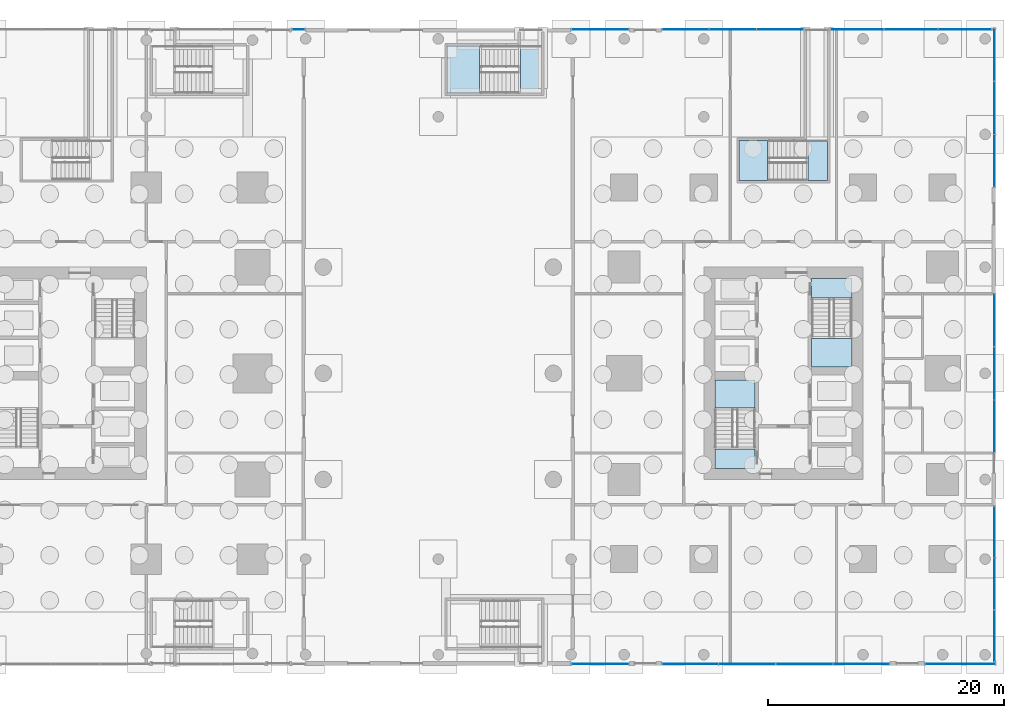
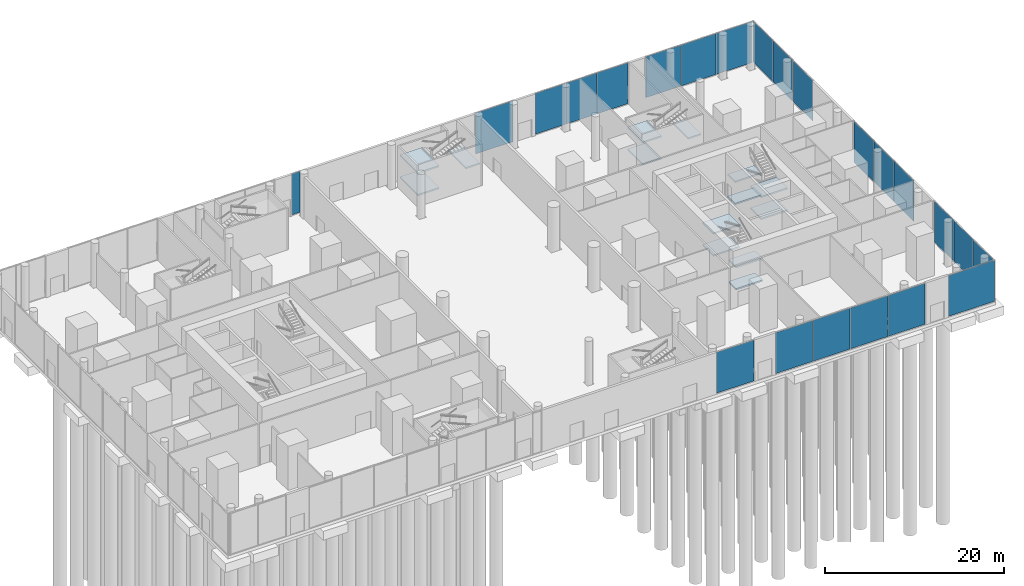
# One storey, part 17 of 31: 23 plates, 14 slabs, 14 elements without a shape of their own.
"""IFC4 building model written with IfcOpenShell, lengths in metres."""

from ifc_helpers import new_model, si_unit, direction, frame, origin, origin_2d, place, context, subcontext, project, spatial, polyline, rectangle, outline, extrude, material, layer, layer_set, type_object, element, aggregate, save


model = new_model("IFC4")

# Units and contexts
model_context = context("Model", 3, precision=1e-05, world=origin(), true_north=direction((0.0, 1.0)))
body_context = subcontext(model_context, "Body", "Model", "MODEL_VIEW")
ifc_project = project(units=[si_unit("LENGTHUNIT", "METRE"), si_unit("AREAUNIT", "SQUARE_METRE"), si_unit("VOLUMEUNIT", "CUBIC_METRE"), si_unit("PLANEANGLEUNIT", "RADIAN"), si_unit("MASSUNIT", "GRAM", prefix="KILO")], contexts=[model_context])

# Site, building, storey
site_placement = place(None, origin())
site = spatial("IfcSite", under=ifc_project, at=site_placement, CompositionType="ELEMENT")
building_placement = place(site_placement, origin())
building = spatial("IfcBuilding", under=site, at=building_placement, Name="Namib Vertical Campus", CompositionType="ELEMENT")
storey_placement = place(building_placement, origin())
storey = spatial("IfcBuildingStorey", under=building, at=storey_placement, Name="L00", CompositionType="ELEMENT", Elevation=0.0)

# Curtain wall, plate
ifc_material_1 = material(Name="Black aluminium curtain wall", Category="aluminium")
ifc_layer_1 = layer(ifc_material_1, 0.199951171875)
ifc_layer_set_1 = layer_set([ifc_layer_1], Name="Entrance curtain wall CW-EN")
curtain_wall_type = type_object("IfcCurtainWallType", Name="Entrance curtain wall CW-EN", PredefinedType="USERDEFINED", material=ifc_layer_set_1)
curtain_wall_1_placement = place(storey_placement, origin())
curtain_wall_1 = element("IfcCurtainWall", 1, at=curtain_wall_1_placement, inside=storey, type_object=curtain_wall_type, Name="Curtain wall CW-EN L00 9-1", ObjectType="CURTAIN WALL", PredefinedType="USERDEFINED")
ifc_material_2 = material(Name="Dark tinted glass", Category="glass")
ifc_layer_2 = layer(ifc_material_2, 0.028076171875)
ifc_layer_set_2 = layer_set([ifc_layer_2], Name="Dark solar glass panel 28")
plate_type = type_object("IfcPlateType", Name="Dark solar glass panel 28", PredefinedType="CURTAIN_PANEL", material=ifc_layer_set_2)
plate_1_placement = place(storey_placement, frame((65.47509765625, -4.39990234375, 0.06005859375), z_axis=(0.0, 0.0, 1.0), x_axis=(1.0, 0.0, 0.0)))
plate_1 = element("IfcPlate", 2, at=plate_1_placement, type_object=plate_type, Name="CW-EN panel 1.1", PredefinedType="CURTAIN_PANEL", context=body_context, shape_type="SweptSolid", body=[
    extrude(rectangle(XDim=4.830078125, YDim=0.028076171875, at=origin_2d()), origin(), (0.0, 0.0, 1.0), 5.580078125),
])
aggregate(curtain_wall_1, [plate_1])

# Curtain wall, plates
curtain_wall_2_placement = place(storey_placement, origin())
curtain_wall_2 = element("IfcCurtainWall", 3, at=curtain_wall_2_placement, inside=storey, type_object=curtain_wall_type, Name="Curtain wall CW-EN L00 11-1", ObjectType="CURTAIN WALL", PredefinedType="USERDEFINED")
plate_2_placement = place(storey_placement, frame((73.090087890625, -4.39990234375, 0.06005859375), z_axis=(0.0, 0.0, 1.0), x_axis=(1.0, 0.0, 0.0)))
plate_2 = element("IfcPlate", 4, at=plate_2_placement, type_object=plate_type, Name="CW-EN panel 1.1", PredefinedType="CURTAIN_PANEL", context=body_context, shape_type="SweptSolid", body=[
    extrude(rectangle(XDim=4.760009765625, YDim=0.028076171875, at=origin_2d()), origin(), (0.0, 0.0, 1.0), 5.580078125),
])
plate_3_placement = place(storey_placement, frame((77.925048828125, -4.39990234375, 0.06005859375), z_axis=(0.0, 0.0, 1.0), x_axis=(1.0, 0.0, 0.0)))
plate_3 = element("IfcPlate", 5, at=plate_3_placement, type_object=plate_type, Name="CW-EN panel 2.1", PredefinedType="CURTAIN_PANEL", context=body_context, shape_type="SweptSolid", body=[
    extrude(rectangle(XDim=4.7900390625, YDim=0.028076171875, at=origin_2d()), origin(), (0.0, 0.0, 1.0), 5.580078125),
])
plate_4_placement = place(storey_placement, frame((82.77490234375, -4.39990234375, 0.06005859375), z_axis=(0.0, 0.0, 1.0), x_axis=(1.0, 0.0, 0.0)))
plate_4 = element("IfcPlate", 6, at=plate_4_placement, type_object=plate_type, Name="CW-EN panel 3.1", PredefinedType="CURTAIN_PANEL", context=body_context, shape_type="SweptSolid", body=[
    extrude(rectangle(XDim=4.7900390625, YDim=0.028076171875, at=origin_2d()), origin(), (0.0, 0.0, 1.0), 5.580078125),
])
plate_5_placement = place(storey_placement, frame((87.610107421875, -4.39990234375, 0.06005859375), z_axis=(0.0, 0.0, 1.0), x_axis=(1.0, 0.0, 0.0)))
plate_5 = element("IfcPlate", 7, at=plate_5_placement, type_object=plate_type, Name="CW-EN panel 4.1", PredefinedType="CURTAIN_PANEL", context=body_context, shape_type="SweptSolid", body=[
    extrude(rectangle(XDim=4.760009765625, YDim=0.028076171875, at=origin_2d()), origin(), (0.0, 0.0, 1.0), 5.580078125),
])
aggregate(curtain_wall_2, [plate_2, plate_3, plate_4, plate_5])

# Curtain wall, plate
curtain_wall_3_placement = place(storey_placement, origin())
curtain_wall_3 = element("IfcCurtainWall", 8, at=curtain_wall_3_placement, inside=storey, type_object=curtain_wall_type, Name="Curtain wall CW-EN L00 13-1", ObjectType="CURTAIN WALL", PredefinedType="USERDEFINED")
plate_6_placement = place(storey_placement, frame((95.97509765625, -4.39990234375, 0.06005859375), z_axis=(0.0, 0.0, 1.0), x_axis=(1.0, 0.0, 0.0)))
plate_6 = element("IfcPlate", 9, at=plate_6_placement, type_object=plate_type, Name="CW-EN panel 1.1", PredefinedType="CURTAIN_PANEL", context=body_context, shape_type="SweptSolid", body=[
    extrude(rectangle(XDim=5.929931640625, YDim=0.028076171875, at=origin_2d()), origin(), (0.0, 0.0, 1.0), 5.580078125),
])
aggregate(curtain_wall_3, [plate_6])

# Curtain wall, plates
curtain_wall_4_placement = place(storey_placement, origin())
curtain_wall_4 = element("IfcCurtainWall", 10, at=curtain_wall_4_placement, inside=storey, type_object=curtain_wall_type, Name="Curtain wall CW-EN L00 1-1", ObjectType="CURTAIN WALL", PredefinedType="USERDEFINED")
plate_7_placement = place(storey_placement, frame((98.89990234375, -1.985107421875, 0.06005859375), z_axis=(0.0, 0.0, 1.0), x_axis=(0.0, 1.0, 0.0)))
plate_7 = element("IfcPlate", 11, at=plate_7_placement, type_object=plate_type, Name="CW-EN panel 1.1", PredefinedType="CURTAIN_PANEL", context=body_context, shape_type="SweptSolid", body=[
    extrude(rectangle(XDim=4.31005859375, YDim=0.028076171875, at=origin_2d()), origin(), (0.0, 0.0, 1.0), 5.580078125),
])
plate_8_placement = place(storey_placement, frame((98.89990234375, 2.39990234375, 0.06005859375), z_axis=(0.0, 0.0, 1.0), x_axis=(0.0, 1.0, 0.0)))
plate_8 = element("IfcPlate", 12, at=plate_8_placement, type_object=plate_type, Name="CW-EN panel 2.1", PredefinedType="CURTAIN_PANEL", context=body_context, shape_type="SweptSolid", body=[
    extrude(rectangle(XDim=4.340087890625, YDim=0.028076171875, at=origin_2d()), origin(), (0.0, 0.0, 1.0), 5.580078125),
])
plate_9_placement = place(storey_placement, frame((98.89990234375, 6.784912109375, 0.06005859375), z_axis=(0.0, 0.0, 1.0), x_axis=(0.0, 1.0, 0.0)))
plate_9 = element("IfcPlate", 13, at=plate_9_placement, type_object=plate_type, Name="CW-EN panel 3.1", PredefinedType="CURTAIN_PANEL", context=body_context, shape_type="SweptSolid", body=[
    extrude(rectangle(XDim=4.31005859375, YDim=0.028076171875, at=origin_2d()), origin(), (0.0, 0.0, 1.0), 5.580078125),
])
aggregate(curtain_wall_4, [plate_7, plate_8, plate_9])

curtain_wall_5_placement = place(storey_placement, origin())
curtain_wall_5 = element("IfcCurtainWall", 14, at=curtain_wall_5_placement, inside=storey, type_object=curtain_wall_type, Name="Curtain wall CW-EN L00 3-1", ObjectType="CURTAIN WALL", PredefinedType="USERDEFINED")
plate_10_placement = place(storey_placement, frame((98.89990234375, 15.764892578125, 0.06005859375), z_axis=(0.0, 0.0, 1.0), x_axis=(0.0, 1.0, 0.0)))
plate_10 = element("IfcPlate", 15, at=plate_10_placement, type_object=plate_type, Name="CW-EN panel 1.1", PredefinedType="CURTAIN_PANEL", context=body_context, shape_type="SweptSolid", body=[
    extrude(rectangle(XDim=4.409912109375, YDim=0.028076171875, at=origin_2d()), origin(), (0.0, 0.0, 1.0), 5.580078125),
])
plate_11_placement = place(storey_placement, frame((98.89990234375, 20.25, 0.06005859375), z_axis=(0.0, 0.0, 1.0), x_axis=(0.0, 1.0, 0.0)))
plate_11 = element("IfcPlate", 16, at=plate_11_placement, type_object=plate_type, Name="CW-EN panel 2.1", PredefinedType="CURTAIN_PANEL", context=body_context, shape_type="SweptSolid", body=[
    extrude(rectangle(XDim=4.43994140625, YDim=0.028076171875, at=origin_2d()), origin(), (0.0, 0.0, 1.0), 5.580078125),
])
plate_12_placement = place(storey_placement, frame((98.89990234375, 24.735107421875, 0.06005859375), z_axis=(0.0, 0.0, 1.0), x_axis=(0.0, 1.0, 0.0)))
plate_12 = element("IfcPlate", 17, at=plate_12_placement, type_object=plate_type, Name="CW-EN panel 3.1", PredefinedType="CURTAIN_PANEL", context=body_context, shape_type="SweptSolid", body=[
    extrude(rectangle(XDim=4.409912109375, YDim=0.028076171875, at=origin_2d()), origin(), (0.0, 0.0, 1.0), 5.580078125),
])
aggregate(curtain_wall_5, [plate_10, plate_11, plate_12])

curtain_wall_6_placement = place(storey_placement, origin())
curtain_wall_6 = element("IfcCurtainWall", 18, at=curtain_wall_6_placement, inside=storey, type_object=curtain_wall_type, Name="Curtain wall CW-EN L00 5-1", ObjectType="CURTAIN WALL", PredefinedType="USERDEFINED")
plate_13_placement = place(storey_placement, frame((98.89990234375, 38.264892578125, 0.06005859375), z_axis=(0.0, 0.0, 1.0), x_axis=(0.0, 1.0, 0.0)))
plate_13 = element("IfcPlate", 19, at=plate_13_placement, type_object=plate_type, Name="CW-EN panel 1.1", PredefinedType="CURTAIN_PANEL", context=body_context, shape_type="SweptSolid", body=[
    extrude(rectangle(XDim=4.409912109375, YDim=0.028076171875, at=origin_2d()), origin(), (0.0, 0.0, 1.0), 5.580078125),
])
plate_14_placement = place(storey_placement, frame((98.89990234375, 42.75, 0.06005859375), z_axis=(0.0, 0.0, 1.0), x_axis=(0.0, 1.0, 0.0)))
plate_14 = element("IfcPlate", 20, at=plate_14_placement, type_object=plate_type, Name="CW-EN panel 2.1", PredefinedType="CURTAIN_PANEL", context=body_context, shape_type="SweptSolid", body=[
    extrude(rectangle(XDim=4.43994140625, YDim=0.028076171875, at=origin_2d()), origin(), (0.0, 0.0, 1.0), 5.580078125),
])
plate_15_placement = place(storey_placement, frame((98.89990234375, 47.235107421875, 0.06005859375), z_axis=(0.0, 0.0, 1.0), x_axis=(0.0, 1.0, 0.0)))
plate_15 = element("IfcPlate", 21, at=plate_15_placement, type_object=plate_type, Name="CW-EN panel 3.1", PredefinedType="CURTAIN_PANEL", context=body_context, shape_type="SweptSolid", body=[
    extrude(rectangle(XDim=4.409912109375, YDim=0.028076171875, at=origin_2d()), origin(), (0.0, 0.0, 1.0), 5.580078125),
])
aggregate(curtain_wall_6, [plate_13, plate_14, plate_15])

# Curtain wall, plate
curtain_wall_7_placement = place(storey_placement, origin())
curtain_wall_7 = element("IfcCurtainWall", 22, at=curtain_wall_7_placement, inside=storey, type_object=curtain_wall_type, Name="Curtain wall CW-EN L00 9-1", ObjectType="CURTAIN WALL", PredefinedType="USERDEFINED")
plate_16_placement = place(storey_placement, frame((39.89990234375, 49.39990234375, 0.06005859375), z_axis=(0.0, 0.0, 1.0), x_axis=(-1.0, 0.0, 0.0)))
plate_16 = element("IfcPlate", 23, at=plate_16_placement, type_object=plate_type, Name="CW-EN panel 1.1", PredefinedType="CURTAIN_PANEL", context=body_context, shape_type="SweptSolid", body=[
    extrude(rectangle(XDim=1.080078125, YDim=0.028076171875, at=origin_2d()), origin(), (0.0, 0.0, 1.0), 5.580078125),
])
aggregate(curtain_wall_7, [plate_16])

curtain_wall_8_placement = place(storey_placement, origin())
curtain_wall_8 = element("IfcCurtainWall", 24, at=curtain_wall_8_placement, inside=storey, type_object=curtain_wall_type, Name="Curtain wall CW-EN L00 11-1", ObjectType="CURTAIN WALL", PredefinedType="USERDEFINED")
plate_17_placement = place(storey_placement, frame((65.47509765625, 49.39990234375, 0.06005859375), z_axis=(0.0, 0.0, 1.0), x_axis=(-1.0, 0.0, 0.0)))
plate_17 = element("IfcPlate", 25, at=plate_17_placement, type_object=plate_type, Name="CW-EN panel 1.1", PredefinedType="CURTAIN_PANEL", context=body_context, shape_type="SweptSolid", body=[
    extrude(rectangle(XDim=4.830078125, YDim=0.028076171875, at=origin_2d()), origin(), (0.0, 0.0, 1.0), 5.580078125),
])
aggregate(curtain_wall_8, [plate_17])

# Curtain wall, plates
curtain_wall_9_placement = place(storey_placement, origin())
curtain_wall_9 = element("IfcCurtainWall", 26, at=curtain_wall_9_placement, inside=storey, type_object=curtain_wall_type, Name="Curtain wall CW-EN L00 13-1", ObjectType="CURTAIN WALL", PredefinedType="USERDEFINED")
plate_18_placement = place(storey_placement, frame((80.71826171875, 49.39990234375, 0.06005859375), z_axis=(0.0, 0.0, 1.0), x_axis=(-1.0, 0.0, 0.0)))
plate_18 = element("IfcPlate", 27, at=plate_18_placement, type_object=plate_type, Name="CW-EN panel 1.1", PredefinedType="CURTAIN_PANEL", context=body_context, shape_type="SweptSolid", body=[
    extrude(rectangle(XDim=3.943359375, YDim=0.028076171875, at=origin_2d()), origin(), (0.0, 0.0, 1.0), 5.580078125),
])
plate_19_placement = place(storey_placement, frame((76.699951171875, 49.39990234375, 0.06005859375), z_axis=(0.0, 0.0, 1.0), x_axis=(-1.0, 0.0, 0.0)))
plate_19 = element("IfcPlate", 28, at=plate_19_placement, type_object=plate_type, Name="CW-EN panel 2.1", PredefinedType="CURTAIN_PANEL", context=body_context, shape_type="SweptSolid", body=[
    extrude(rectangle(XDim=3.973388671875, YDim=0.028076171875, at=origin_2d()), origin(), (0.0, 0.0, 1.0), 5.580078125),
])
plate_20_placement = place(storey_placement, frame((72.681640625, 49.39990234375, 0.06005859375), z_axis=(0.0, 0.0, 1.0), x_axis=(-1.0, 0.0, 0.0)))
plate_20 = element("IfcPlate", 29, at=plate_20_placement, type_object=plate_type, Name="CW-EN panel 3.1", PredefinedType="CURTAIN_PANEL", context=body_context, shape_type="SweptSolid", body=[
    extrude(rectangle(XDim=3.943359375, YDim=0.028076171875, at=origin_2d()), origin(), (0.0, 0.0, 1.0), 5.580078125),
])
aggregate(curtain_wall_9, [plate_18, plate_19, plate_20])

curtain_wall_10_placement = place(storey_placement, origin())
curtain_wall_10 = element("IfcCurtainWall", 30, at=curtain_wall_10_placement, inside=storey, type_object=curtain_wall_type, Name="Curtain wall CW-EN L00 15-1", ObjectType="CURTAIN WALL", PredefinedType="USERDEFINED")
plate_21_placement = place(storey_placement, frame((96.393310546875, 49.39990234375, 0.06005859375), z_axis=(0.0, 0.0, 1.0), x_axis=(-1.0, 0.0, 0.0)))
plate_21 = element("IfcPlate", 31, at=plate_21_placement, type_object=plate_type, Name="CW-EN panel 1.1", PredefinedType="CURTAIN_PANEL", context=body_context, shape_type="SweptSolid", body=[
    extrude(rectangle(XDim=4.493408203125, YDim=0.028076171875, at=origin_2d()), origin(), (0.0, 0.0, 1.0), 5.580078125),
])
plate_22_placement = place(storey_placement, frame((91.824951171875, 49.39990234375, 0.06005859375), z_axis=(0.0, 0.0, 1.0), x_axis=(-1.0, 0.0, 0.0)))
plate_22 = element("IfcPlate", 32, at=plate_22_placement, type_object=plate_type, Name="CW-EN panel 2.1", PredefinedType="CURTAIN_PANEL", context=body_context, shape_type="SweptSolid", body=[
    extrude(rectangle(XDim=4.5234375, YDim=0.028076171875, at=origin_2d()), origin(), (0.0, 0.0, 1.0), 5.580078125),
])
plate_23_placement = place(storey_placement, frame((87.256591796875, 49.39990234375, 0.06005859375), z_axis=(0.0, 0.0, 1.0), x_axis=(-1.0, 0.0, 0.0)))
plate_23 = element("IfcPlate", 33, at=plate_23_placement, type_object=plate_type, Name="CW-EN panel 3.1", PredefinedType="CURTAIN_PANEL", context=body_context, shape_type="SweptSolid", body=[
    extrude(rectangle(XDim=4.493408203125, YDim=0.028076171875, at=origin_2d()), origin(), (0.0, 0.0, 1.0), 5.580078125),
])
aggregate(curtain_wall_10, [plate_21, plate_22, plate_23])

# Stair, slabs
ifc_material_3 = material(Name="Concrete C40/50 precast", Category="concrete")
stair_type_1 = type_object("IfcStairType", Name="Exit stair 6000 rise 40 risers 3400 wide", PredefinedType="HALF_TURN_STAIR", material=ifc_material_3)
stair_1_placement = place(storey_placement, origin())
stair_1 = element("IfcStair", 34, at=stair_1_placement, inside=storey, type_object=stair_type_1, Name="Exit stair B-S1 L00", PredefinedType="HALF_TURN_STAIR")
ifc_material_4 = material(Name="Concrete C40/50", Category="concrete")
ifc_layer_3 = layer(ifc_material_4, 0.199951171875)
ifc_layer_set_3 = layer_set([ifc_layer_3], Name="Concrete C40/50")
slab_type = type_object("IfcSlabType", Name="Stair landing 200", PredefinedType="LANDING", material=ifc_layer_set_3)
slab_1_placement = place(storey_placement, frame((0.0, 0.0, -0.199951171875)))
slab_1 = element("IfcSlab", 35, at=slab_1_placement, type_object=slab_type, Name="B-S1 landing 1", PredefinedType="LANDING", context=body_context, shape_type="SweptSolid", body=[
    extrude(outline(polyline([(75.199951171875, 12.199951171875), (78.60009765625, 12.199951171875), (78.60009765625, 13.85400390625), (75.199951171875, 13.85400390625), (75.199951171875, 12.199951171875)])), origin(), (0.0, 0.0, 1.0), 0.199951171875),
])
slab_2_placement = place(storey_placement, frame((0.0, 0.0, 1.300048828125)))
slab_2 = element("IfcSlab", 36, at=slab_2_placement, type_object=slab_type, Name="B-S1 landing 2", PredefinedType="LANDING", context=body_context, shape_type="SweptSolid", body=[
    extrude(outline(polyline([(75.199951171875, 17.296142578125), (78.60009765625, 17.296142578125), (78.60009765625, 19.699951171875), (75.199951171875, 19.699951171875), (75.199951171875, 17.296142578125)])), origin(), (0.0, 0.0, 1.0), 0.199951171875),
])
slab_3_placement = place(storey_placement, frame((0.0, 0.0, 2.800048828125)))
slab_3 = element("IfcSlab", 37, at=slab_3_placement, type_object=slab_type, Name="B-S1 landing 3", PredefinedType="LANDING", context=body_context, shape_type="SweptSolid", body=[
    extrude(outline(polyline([(75.199951171875, 12.199951171875), (78.60009765625, 12.199951171875), (78.60009765625, 13.85400390625), (75.199951171875, 13.85400390625), (75.199951171875, 12.199951171875)])), origin(), (0.0, 0.0, 1.0), 0.199951171875),
])
slab_4_placement = place(storey_placement, frame((0.0, 0.0, 4.300048828125)))
slab_4 = element("IfcSlab", 38, at=slab_4_placement, type_object=slab_type, Name="B-S1 landing 4", PredefinedType="LANDING", context=body_context, shape_type="SweptSolid", body=[
    extrude(outline(polyline([(75.199951171875, 17.296142578125), (78.60009765625, 17.296142578125), (78.60009765625, 19.699951171875), (75.199951171875, 19.699951171875), (75.199951171875, 17.296142578125)])), origin(), (0.0, 0.0, 1.0), 0.199951171875),
])
aggregate(stair_1, [slab_1, slab_2, slab_3, slab_4])

stair_2_placement = place(storey_placement, origin())
stair_2 = element("IfcStair", 39, at=stair_2_placement, inside=storey, type_object=stair_type_1, Name="Exit stair B-S2 L00", PredefinedType="HALF_TURN_STAIR")
slab_5_placement = place(storey_placement, frame((0.0, 0.0, -0.199951171875)))
slab_5 = element("IfcSlab", 40, at=slab_5_placement, type_object=slab_type, Name="B-S2 landing 1", PredefinedType="LANDING", context=body_context, shape_type="SweptSolid", body=[
    extrude(outline(polyline([(83.39990234375, 26.64599609375), (86.800048828125, 26.64599609375), (86.800048828125, 28.300048828125), (83.39990234375, 28.300048828125), (83.39990234375, 26.64599609375)])), origin(), (0.0, 0.0, 1.0), 0.199951171875),
])
slab_6_placement = place(storey_placement, frame((0.0, 0.0, 1.300048828125)))
slab_6 = element("IfcSlab", 41, at=slab_6_placement, type_object=slab_type, Name="B-S2 landing 2", PredefinedType="LANDING", context=body_context, shape_type="SweptSolid", body=[
    extrude(outline(polyline([(83.39990234375, 20.800048828125), (86.800048828125, 20.800048828125), (86.800048828125, 23.203857421875), (83.39990234375, 23.203857421875), (83.39990234375, 20.800048828125)])), origin(), (0.0, 0.0, 1.0), 0.199951171875),
])
slab_7_placement = place(storey_placement, frame((0.0, 0.0, 2.800048828125)))
slab_7 = element("IfcSlab", 42, at=slab_7_placement, type_object=slab_type, Name="B-S2 landing 3", PredefinedType="LANDING", context=body_context, shape_type="SweptSolid", body=[
    extrude(outline(polyline([(83.39990234375, 26.64599609375), (86.800048828125, 26.64599609375), (86.800048828125, 28.300048828125), (83.39990234375, 28.300048828125), (83.39990234375, 26.64599609375)])), origin(), (0.0, 0.0, 1.0), 0.199951171875),
])
slab_8_placement = place(storey_placement, frame((0.0, 0.0, 4.300048828125)))
slab_8 = element("IfcSlab", 43, at=slab_8_placement, type_object=slab_type, Name="B-S2 landing 4", PredefinedType="LANDING", context=body_context, shape_type="SweptSolid", body=[
    extrude(outline(polyline([(83.39990234375, 20.800048828125), (86.800048828125, 20.800048828125), (86.800048828125, 23.203857421875), (83.39990234375, 23.203857421875), (83.39990234375, 20.800048828125)])), origin(), (0.0, 0.0, 1.0), 0.199951171875),
])
aggregate(stair_2, [slab_5, slab_6, slab_7, slab_8])

ifc_material_5 = material(Name="Concrete C40/50 precast", Category="concrete")
stair_type_2 = type_object("IfcStairType", Name="Podium exit stair 6000 rise 40 risers 1800 flights", PredefinedType="HALF_TURN_STAIR", material=ifc_material_5)
stair_3_placement = place(storey_placement, origin())
stair_3 = element("IfcStair", 44, at=stair_3_placement, inside=storey, type_object=stair_type_2, Name="Exit stair P-S3 L00", PredefinedType="HALF_TURN_STAIR")
slab_9_placement = place(storey_placement, frame((0.0, 0.0, 1.300048828125)))
slab_9 = element("IfcSlab", 45, at=slab_9_placement, type_object=slab_type, Name="P-S3 landing 1", PredefinedType="LANDING", context=body_context, shape_type="SweptSolid", body=[
    extrude(outline(polyline([(52.5, 44.0), (52.5, 48.0), (55.2578125, 48.0), (55.2578125, 44.0), (52.5, 44.0)])), origin(), (0.0, 0.0, 1.0), 0.199951171875),
])
slab_10_placement = place(storey_placement, frame((0.0, 0.0, 2.800048828125)))
slab_10 = element("IfcSlab", 46, at=slab_10_placement, type_object=slab_type, Name="P-S3 landing 2", PredefinedType="LANDING", context=body_context, shape_type="SweptSolid", body=[
    extrude(outline(polyline([(58.699951171875, 44.0), (58.699951171875, 48.0), (60.5, 48.0), (60.5, 44.0), (58.699951171875, 44.0)])), origin(), (0.0, 0.0, 1.0), 0.199951171875),
])
slab_11_placement = place(storey_placement, frame((0.0, 0.0, 4.300048828125)))
slab_11 = element("IfcSlab", 47, at=slab_11_placement, type_object=slab_type, Name="P-S3 landing 3", PredefinedType="LANDING", context=body_context, shape_type="SweptSolid", body=[
    extrude(outline(polyline([(52.5, 44.0), (52.5, 48.0), (55.2578125, 48.0), (55.2578125, 44.0), (52.5, 44.0)])), origin(), (0.0, 0.0, 1.0), 0.199951171875),
])
aggregate(stair_3, [slab_9, slab_10, slab_11])

stair_4_placement = place(storey_placement, origin())
stair_4 = element("IfcStair", 48, at=stair_4_placement, inside=storey, type_object=stair_type_1, Name="Exit stair B-S3 L00", PredefinedType="HALF_TURN_STAIR")
slab_12_placement = place(storey_placement, frame((0.0, 0.0, 1.300048828125)))
slab_12 = element("IfcSlab", 49, at=slab_12_placement, type_object=slab_type, Name="B-S3 landing 1", PredefinedType="LANDING", context=body_context, shape_type="SweptSolid", body=[
    extrude(outline(polyline([(77.25, 36.60009765625), (77.25, 40.0), (79.65380859375, 40.0), (79.65380859375, 36.60009765625), (77.25, 36.60009765625)])), origin(), (0.0, 0.0, 1.0), 0.199951171875),
])
slab_13_placement = place(storey_placement, frame((0.0, 0.0, 2.800048828125)))
slab_13 = element("IfcSlab", 50, at=slab_13_placement, type_object=slab_type, Name="B-S3 landing 2", PredefinedType="LANDING", context=body_context, shape_type="SweptSolid", body=[
    extrude(outline(polyline([(83.09619140625, 36.60009765625), (83.09619140625, 40.0), (84.75, 40.0), (84.75, 36.60009765625), (83.09619140625, 36.60009765625)])), origin(), (0.0, 0.0, 1.0), 0.199951171875),
])
slab_14_placement = place(storey_placement, frame((0.0, 0.0, 4.300048828125)))
slab_14 = element("IfcSlab", 51, at=slab_14_placement, type_object=slab_type, Name="B-S3 landing 3", PredefinedType="LANDING", context=body_context, shape_type="SweptSolid", body=[
    extrude(outline(polyline([(77.25, 36.60009765625), (77.25, 40.0), (79.65380859375, 40.0), (79.65380859375, 36.60009765625), (77.25, 36.60009765625)])), origin(), (0.0, 0.0, 1.0), 0.199951171875),
])
aggregate(stair_4, [slab_12, slab_13, slab_14])

save(model, "model.ifc")
